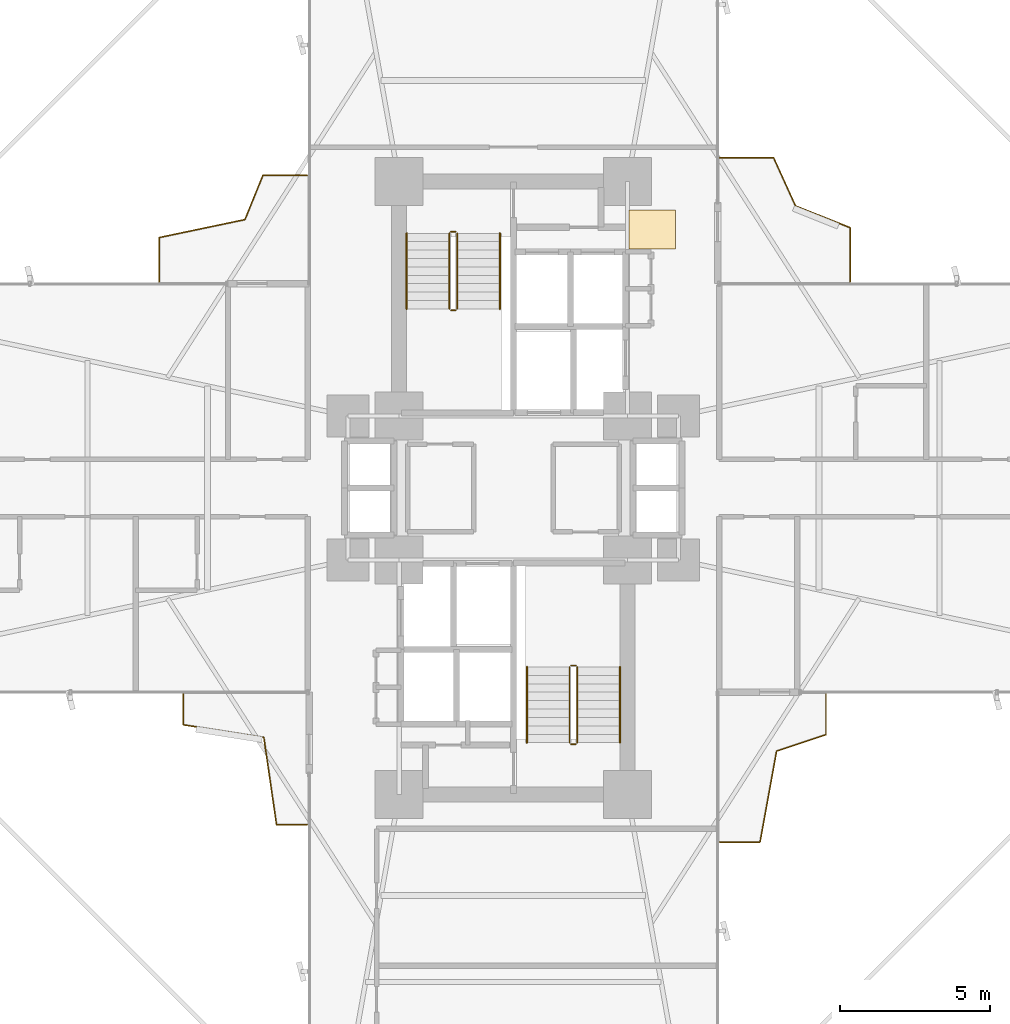
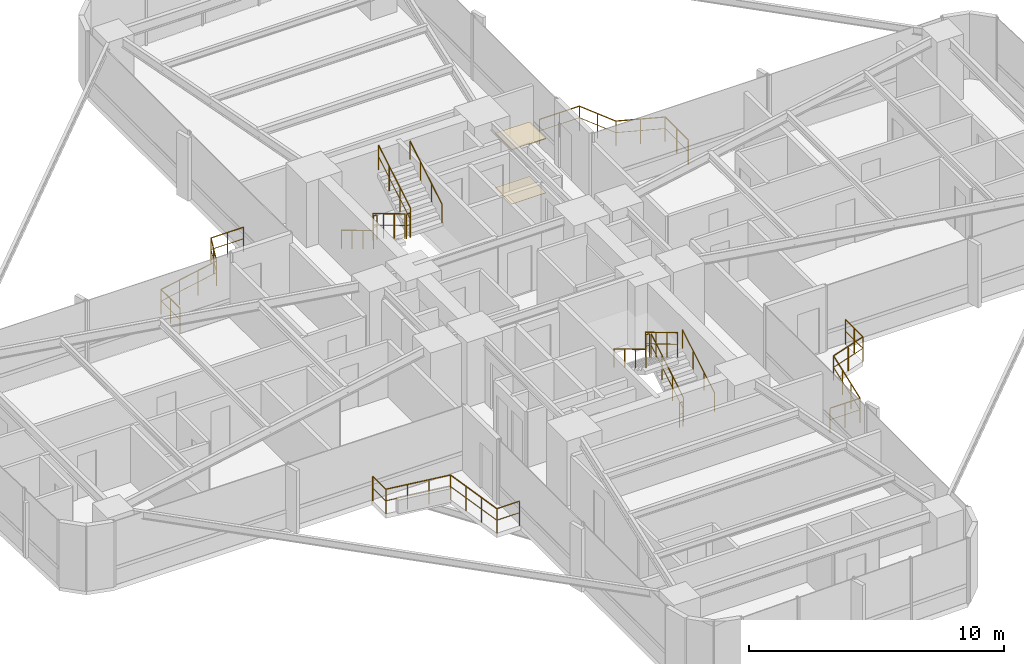
# One storey, part 25 of 25: 16 railings, 2 coverings.
"""IFC4 building model written with IfcOpenShell, lengths in metres."""

import ifcopenshell
import ifcopenshell.guid

model = None  # the IFC model being written
_history = None  # IfcOwnerHistory: only IFC2X3 demands one
_inside = {}  # id of a spatial element -> (the spatial element, [elements in it])
_under = {}  # id of a project, library or spatial element -> (it, [spatial elements below it])
_declared = {}  # id of a project -> (the project, [libraries it declares])
_typed = {}  # id of a type object -> (the type object, [elements of that type])
_made_of = {}  # id of a material, layer set ... -> (it, [elements and type objects made of it])


def new_model(schema):
    """Start an empty IFC model of exactly this schema.

    Asked for "IFC4X3", IfcOpenShell would pick the latest addendum, in which some entities
    have other attributes; the version numbers below select the first issue.
    IFC2X3 requires an IfcOwnerHistory on every rooted entity: one is made here for all.
    """
    global model, _history
    if schema == "IFC4X3":
        model = ifcopenshell.file(schema_version=(4, 3, 0, 0))
    else:
        model = ifcopenshell.file(schema=schema)
    _inside.clear()
    _under.clear()
    _declared.clear()
    _typed.clear()
    _made_of.clear()
    _history = None
    if model.schema == "IFC2X3":
        org = make("IfcOrganization", Name="unknown")
        user = make(
            "IfcPersonAndOrganization",
            ThePerson=make("IfcPerson", FamilyName="unknown"),
            TheOrganization=org,
        )
        app = make(
            "IfcApplication",
            ApplicationDeveloper=org,
            Version="unknown",
            ApplicationFullName="unknown",
            ApplicationIdentifier="unknown",
        )
        _history = make(
            "IfcOwnerHistory",
            OwningUser=user,
            OwningApplication=app,
            ChangeAction="ADDED",
            CreationDate=0,
        )
    return model


def make(cls, **values):
    """One entity of the class cls with the attributes given. An attribute that is None is left unset."""
    return model.create_entity(
        cls, **{name: value for name, value in values.items() if value is not None}
    )


def rooted(cls, **values):
    """An entity with a GlobalId (a new one), such as an element, a storey or a relation."""
    return make(cls, GlobalId=ifcopenshell.guid.new(), OwnerHistory=_history, **values)


def si_unit(unit_type, name, prefix=None):
    """IfcSIUnit, for example si_unit("LENGTHUNIT", "METRE", prefix="MILLI")."""
    return make("IfcSIUnit", UnitType=unit_type, Prefix=prefix, Name=name)


def assignment(units):
    """IfcUnitAssignment: the units of a project."""
    return None if units is None else make("IfcUnitAssignment", Units=units)


def point(xyz):
    """IfcCartesianPoint."""
    return None if xyz is None else make("IfcCartesianPoint", Coordinates=xyz)


def direction(xyz):
    """IfcDirection."""
    return None if xyz is None else make("IfcDirection", DirectionRatios=xyz)


def frame(location, z_axis=None, x_axis=None):
    """IfcAxis2Placement3D, a coordinate frame: its origin and axes. An axis left out is left unset."""
    return make(
        "IfcAxis2Placement3D",
        Location=point(location),
        Axis=direction(z_axis),
        RefDirection=direction(x_axis),
    )


def frame_2d(location, x_axis=None):
    """IfcAxis2Placement2D, a coordinate frame in the plane: its origin and x axis."""
    return make(
        "IfcAxis2Placement2D", Location=point(location), RefDirection=direction(x_axis)
    )


def origin():
    """The frame at (0, 0, 0) with its axes left unset."""
    return frame((0.0, 0.0, 0.0))


def origin_2d():
    """The frame at (0, 0) in the plane with its x axis left unset."""
    return frame_2d((0.0, 0.0))


def place(relative_to, where):
    """IfcLocalPlacement: puts the frame where relative to a parent placement (None: the world)."""
    return make(
        "IfcLocalPlacement", PlacementRelTo=relative_to, RelativePlacement=where
    )


def context(
    kind, dimensions, precision=None, world=None, true_north=None, identifier=None
):
    """IfcGeometricRepresentationContext, for example the 3D "Model" context."""
    return make(
        "IfcGeometricRepresentationContext",
        ContextIdentifier=identifier,
        ContextType=kind,
        CoordinateSpaceDimension=dimensions,
        Precision=precision,
        WorldCoordinateSystem=world,
        TrueNorth=true_north,
    )


def subcontext(parent, identifier, kind, view, scale=None):
    """IfcGeometricRepresentationSubContext, for example "Body" below "Model"."""
    return make(
        "IfcGeometricRepresentationSubContext",
        ContextIdentifier=identifier,
        ContextType=kind,
        ParentContext=parent,
        TargetScale=scale,
        TargetView=view,
    )


def project(units=None, contexts=None):
    """IfcProject with its units and contexts."""
    return rooted(
        "IfcProject",
        Name="project",
        RepresentationContexts=contexts,
        UnitsInContext=assignment(units),
    )


def spatial(cls, under=None, at=None, **own):
    """A site, building, storey or space (cls), placed at a placement, below another one or the project."""
    s = rooted(cls, ObjectPlacement=at, **own)
    if under is not None:
        _under.setdefault(under.id(), (under, []))[1].append(s)
    return s


def polyline(points):
    """IfcPolyline through the points."""
    return make("IfcPolyline", Points=[point(p) for p in points])


def profile(cls, at=None, kind="AREA", **sizes):
    """A parametric profile (cls). Its sizes go by their IFC names, for example OverallWidth=200.0."""
    return make(cls, ProfileType=kind, Position=at, **sizes)


def circle(**sizes):
    """IfcCircleProfileDef."""
    return profile("IfcCircleProfileDef", **sizes)


def outline(outer, holes=None, kind="AREA"):
    """IfcArbitraryClosedProfileDef: a profile drawn as a closed curve; with holes, ...WithVoids."""
    if holes is None:
        return make("IfcArbitraryClosedProfileDef", ProfileType=kind, OuterCurve=outer)
    return make(
        "IfcArbitraryProfileDefWithVoids",
        ProfileType=kind,
        OuterCurve=outer,
        InnerCurves=holes,
    )


def extrude(swept, where, along, depth):
    """IfcExtrudedAreaSolid: the profile swept, set in the frame where, extruded along a direction by depth."""
    return make(
        "IfcExtrudedAreaSolid",
        SweptArea=swept,
        Position=where,
        ExtrudedDirection=direction(along),
        Depth=depth,
    )


def shape(context_of_items, identifier, shape_type, items):
    """IfcShapeRepresentation: the items that make up one representation, for example the "Body"."""
    return make(
        "IfcShapeRepresentation",
        ContextOfItems=context_of_items,
        RepresentationIdentifier=identifier,
        RepresentationType=shape_type,
        Items=items,
    )


def material(Name=None, Category=None):
    """IfcMaterial."""
    return make("IfcMaterial", Name=Name, Category=Category)


def layer(
    of_material, thickness, ventilated=None, Name=None, Category=None, Priority=None
):
    """IfcMaterialLayer: one layer of a wall or slab, of a material (None: an air gap)."""
    return make(
        "IfcMaterialLayer",
        Material=of_material,
        LayerThickness=thickness,
        IsVentilated=ventilated,
        Name=Name,
        Category=Category,
        Priority=Priority,
    )


def layer_set(layers, Name=None):
    """IfcMaterialLayerSet."""
    return make("IfcMaterialLayerSet", MaterialLayers=layers, LayerSetName=Name)


def made_of(thing, what):
    """Note that an element or type object is made of a material, layer set ...; save() writes the relation."""
    if what is not None:
        _made_of.setdefault(what.id(), (what, []))[1].append(thing)
    return thing


def type_object(cls, material=None, **own):
    """A type object (cls), such as IfcWallType, which elements share."""
    return made_of(rooted(cls, **own), material)


def element(
    cls,
    number,
    at=None,
    inside=None,
    cuts=None,
    type_object=None,
    material=None,
    context=None,
    identifier="Body",
    shape_type=None,
    held_by="IfcProductDefinitionShape",
    body=None,
    shapes=None,
    **own,
):
    """One element of the class cls, such as IfcWall. Its Tag is "e" and its number.

    at: its placement. inside: the storey or other place that contains it. cuts: it is an
    opening in that element (IfcRelVoidsElement). A single representation is given by context,
    identifier, shape_type and body (its items); several are given by shapes. held_by: the class
    of the entity that holds the representations. save() writes the other relations.
    """
    e = rooted(cls, Tag="e%d" % number, ObjectPlacement=at, **own)
    if body is not None:
        shapes = [shape(context, identifier, shape_type, body)]
    if shapes is not None:
        e.Representation = make(held_by, Representations=shapes)
    if inside is not None:
        _inside.setdefault(inside.id(), (inside, []))[1].append(e)
    if cuts is not None:
        rooted(
            "IfcRelVoidsElement", RelatingBuildingElement=cuts, RelatedOpeningElement=e
        )
    if type_object is not None:
        _typed.setdefault(type_object.id(), (type_object, []))[1].append(e)
    return made_of(e, material)


def aggregate(whole, parts):
    """IfcRelAggregates: a whole, such as a stair, and the parts it consists of."""
    return rooted("IfcRelAggregates", RelatingObject=whole, RelatedObjects=parts)


def save(model, path):
    """Write the relations noted so far, then the file.

    IfcRelAggregates (storeys below a building ...), IfcRelContainedInSpatialStructure (elements
    in a storey), IfcRelDefinesByType, IfcRelAssociatesMaterial and IfcRelDeclares: one each for
    every whole, place, type object, material and project.
    """
    for whole, parts in _under.values():
        aggregate(whole, parts)
    for where, things in _inside.values():
        rooted(
            "IfcRelContainedInSpatialStructure",
            RelatedElements=things,
            RelatingStructure=where,
        )
    for kind, things in _typed.values():
        rooted("IfcRelDefinesByType", RelatedObjects=things, RelatingType=kind)
    for what, things in _made_of.values():
        rooted("IfcRelAssociatesMaterial", RelatedObjects=things, RelatingMaterial=what)
    for by, libraries in _declared.values():
        rooted("IfcRelDeclares", RelatingContext=by, RelatedDefinitions=libraries)
    model.write(path)


model = new_model("IFC4")

# Units and contexts
model_context = context("Model", 3, precision=1e-05, world=origin(), true_north=direction((0.0, 1.0)))
body_context = subcontext(model_context, "Body", "Model", "MODEL_VIEW")
ifc_project = project(units=[si_unit("LENGTHUNIT", "METRE"), si_unit("AREAUNIT", "SQUARE_METRE"), si_unit("VOLUMEUNIT", "CUBIC_METRE"), si_unit("PLANEANGLEUNIT", "RADIAN"), si_unit("MASSUNIT", "GRAM", prefix="KILO")], contexts=[model_context])

# Site, building, storey
site_placement = place(None, origin())
site = spatial("IfcSite", under=ifc_project, at=site_placement, CompositionType="ELEMENT")
building_placement = place(site_placement, origin())
building = spatial("IfcBuilding", under=site, at=building_placement, Name="Sahyath Konkavel Grand Hotel", CompositionType="ELEMENT")
storey_placement = place(building_placement, frame((0.0, 0.0, 57.75)))
storey = spatial("IfcBuildingStorey", under=building, at=storey_placement, Name="L15", CompositionType="ELEMENT", Elevation=57.75)

# Coverings
ifc_material_1 = material(Name="Perforated Acoustic Gypsum and Teak Baffle Ceiling")
ifc_layer_1 = layer(ifc_material_1, 0.044921875)
ifc_layer_set_1 = layer_set([ifc_layer_1], Name="Perforated Acoustic Gypsum and Teak Baffle Ceiling")
covering_type_1 = type_object("IfcCoveringType", Name="COV-ACOUSTIC-CLG", PredefinedType="CEILING", material=ifc_layer_set_1)
covering_1_placement = place(storey_placement, frame((0.0, 0.0, 2.590087890625)))
element("IfcCovering", 1, at=covering_1_placement, inside=storey, type_object=covering_type_1, Name="L15 Core Vestibule Acoustic Ceiling", PredefinedType="CEILING", context=body_context, shape_type="SweptSolid", body=[
    extrude(outline(polyline([(3.85009765625, 7.949951171875), (5.39990234375, 7.949951171875), (5.39990234375, 9.25), (3.85009765625, 9.25), (3.85009765625, 7.949951171875)])), origin(), (0.0, 0.0, 1.0), 0.039794921875),
])
ifc_material_2 = material(Name="Polished Konkan Aggregate Terrazzo Flooring")
ifc_layer_2 = layer(ifc_material_2, 0.02001953125)
ifc_layer_set_2 = layer_set([ifc_layer_2], Name="Polished Konkan Aggregate Terrazzo Flooring")
covering_type_2 = type_object("IfcCoveringType", Name="COV-TERRAZZO", PredefinedType="FLOORING", material=ifc_layer_set_2)
covering_2_placement = place(storey_placement, origin())
element("IfcCovering", 2, at=covering_2_placement, inside=storey, type_object=covering_type_2, Name="L15 Core Vestibule Terrazzo Flooring", PredefinedType="FLOORING", context=body_context, shape_type="SweptSolid", body=[
    extrude(outline(polyline([(3.85009765625, 7.949951171875), (5.39990234375, 7.949951171875), (5.39990234375, 9.25), (3.85009765625, 9.25), (3.85009765625, 7.949951171875)])), origin(), (0.0, 0.0, 1.0), 0.02001953125),
])

# Railings
ifc_material_3 = material(Name="Anodised Bronze Aluminium", Category="aluminium")
railing_type_1 = type_object("IfcRailingType", Name="RLG-BALC-1200", PredefinedType="GUARDRAIL", material=ifc_material_3)
railing_1_placement = place(storey_placement, frame((11.2099609375, 6.860107421875, 0.0)))
element("IfcRailing", 3, at=railing_1_placement, inside=storey, type_object=railing_type_1, Name="L15 Winter-Garden Guard NE", PredefinedType="GUARDRAIL", context=body_context, shape_type="SweptSolid", body=[
    extrude(circle(Radius=0.02392578125, at=origin_2d()), frame((0.0, 0.001953125, 1.17578125), z_axis=(0.0, 1.0, 0.0), x_axis=(-1.0, 0.0, 0.0)), (0.0, 0.0, 1.0), 1.802978515625),
    extrude(circle(Radius=0.01416015625, at=origin_2d()), frame((0.0, 0.001953125, 0.6240234375), z_axis=(0.0, 1.0, 0.0), x_axis=(-1.0, 0.0, 0.0)), (0.0, 0.0, 1.0), 1.802978515625),
    extrude(circle(Radius=0.02392578125, at=origin_2d()), frame((-0.001953125, 1.8076171875, 1.17578125), z_axis=(-0.928597117246, 0.371089468784, 0.0), x_axis=(-0.371089468784, -0.928597117246, 0.0)), (0.0, 0.0, 1.0), 1.95263671875),
    extrude(circle(Radius=0.01416015625, at=origin_2d()), frame((-0.001953125, 1.8076171875, 0.6240234375), z_axis=(-0.928597117246, 0.371089468784, 0.0), x_axis=(-0.371089468784, -0.928597117246, 0.0)), (0.0, 0.0, 1.0), 1.95263671875),
    extrude(circle(Radius=0.02392578125, at=origin_2d()), frame((-1.817626953125, 2.53466796875, 1.17578125), z_axis=(-0.413897312083, 0.910323577114, 0.0), x_axis=(-0.910323577114, -0.413897312083, 0.0)), (0.0, 0.0, 1.0), 1.750244140625),
    extrude(circle(Radius=0.01416015625, at=origin_2d()), frame((-1.817626953125, 2.53466796875, 0.6240234375), z_axis=(-0.413897312083, 0.910323577114, 0.0), x_axis=(-0.910323577114, -0.413897312083, 0.0)), (0.0, 0.0, 1.0), 1.750244140625),
    extrude(circle(Radius=0.02392578125, at=origin_2d()), frame((-2.544921875, 4.1298828125, 1.17578125), z_axis=(-1.0, 0.0, 0.0), x_axis=(0.0, -1.0, 0.0)), (0.0, 0.0, 1.0), 1.802978515625),
    extrude(circle(Radius=0.01416015625, at=origin_2d()), frame((-2.544921875, 4.1298828125, 0.6240234375), z_axis=(-1.0, 0.0, 0.0), x_axis=(0.0, -1.0, 0.0)), (0.0, 0.0, 1.0), 1.802978515625),
    extrude(circle(Radius=0.02099609375, at=origin_2d()), origin(), (0.0, 0.0, 1.0), 1.15185546875),
    extrude(circle(Radius=0.02099609375, at=origin_2d()), frame((0.0, 0.9033203125, 0.0)), (0.0, 0.0, 1.0), 1.15185546875),
    extrude(circle(Radius=0.02099609375, at=origin_2d()), frame((0.0, 1.806884765625, 0.0)), (0.0, 0.0, 1.0), 1.15185546875),
    extrude(circle(Radius=0.02099609375, at=origin_2d()), frame((-0.908447265625, 2.169921875, 0.0)), (0.0, 0.0, 1.0), 1.15185546875),
    extrude(circle(Radius=0.02099609375, at=origin_2d()), frame((-1.81689453125, 2.532958984375, 0.0)), (0.0, 0.0, 1.0), 1.15185546875),
    extrude(circle(Radius=0.02099609375, at=origin_2d()), frame((-2.179931640625, 3.33154296875, 0.0)), (0.0, 0.0, 1.0), 1.15185546875),
    extrude(circle(Radius=0.02099609375, at=origin_2d()), frame((-2.54296875, 4.1298828125, 0.0)), (0.0, 0.0, 1.0), 1.15185546875),
    extrude(circle(Radius=0.02099609375, at=origin_2d()), frame((-3.4462890625, 4.1298828125, 0.0)), (0.0, 0.0, 1.0), 1.15185546875),
    extrude(circle(Radius=0.02099609375, at=origin_2d()), frame((-4.349853515625, 4.1298828125, 0.0)), (0.0, 0.0, 1.0), 1.15185546875),
])
railing_2_placement = place(storey_placement, frame((-6.860107421875, 10.408935546875, 0.0)))
element("IfcRailing", 4, at=railing_2_placement, inside=storey, type_object=railing_type_1, Name="L15 Winter-Garden Guard NW", PredefinedType="GUARDRAIL", context=body_context, shape_type="SweptSolid", body=[
    extrude(circle(Radius=0.02392578125, at=origin_2d()), frame((-0.001953125, 0.0, 1.17578125), z_axis=(-1.0, 0.0, 0.0), x_axis=(0.0, -1.0, 0.0)), (0.0, 0.0, 1.0), 1.473876953125),
    extrude(circle(Radius=0.01416015625, at=origin_2d()), frame((-0.001953125, 0.0, 0.6240234375), z_axis=(-1.0, 0.0, 0.0), x_axis=(0.0, -1.0, 0.0)), (0.0, 0.0, 1.0), 1.473876953125),
    extrude(circle(Radius=0.02392578125, at=origin_2d()), frame((-1.478515625, -0.001953125, 1.17578125), z_axis=(-0.376257582672, -0.926515100515, 0.0), x_axis=(0.926515100515, -0.376257582672, 0.0)), (0.0, 0.0, 1.0), 1.585693359375),
    extrude(circle(Radius=0.01416015625, at=origin_2d()), frame((-1.478515625, -0.001953125, 0.6240234375), z_axis=(-0.376257582672, -0.926515100515, 0.0), x_axis=(0.926515100515, -0.376257582672, 0.0)), (0.0, 0.0, 1.0), 1.585693359375),
    extrude(circle(Radius=0.02392578125, at=origin_2d()), frame((-2.077880859375, -1.473388671875, 1.17578125), z_axis=(-0.978750015276, -0.205057083755, 0.0), x_axis=(0.205057083755, -0.978750015276, 0.0)), (0.0, 0.0, 1.0), 2.9130859375),
    extrude(circle(Radius=0.01416015625, at=origin_2d()), frame((-2.077880859375, -1.473388671875, 0.6240234375), z_axis=(-0.978750015276, -0.205057083755, 0.0), x_axis=(0.205057083755, -0.978750015276, 0.0)), (0.0, 0.0, 1.0), 2.9130859375),
    extrude(circle(Radius=0.02392578125, at=origin_2d()), frame((-4.930908203125, -2.072998046875, 1.17578125), z_axis=(0.0, -1.0, 0.0), x_axis=(1.0, 0.0, 0.0)), (0.0, 0.0, 1.0), 1.473876953125),
    extrude(circle(Radius=0.01416015625, at=origin_2d()), frame((-4.930908203125, -2.072998046875, 0.6240234375), z_axis=(0.0, -1.0, 0.0), x_axis=(1.0, 0.0, 0.0)), (0.0, 0.0, 1.0), 1.473876953125),
    extrude(circle(Radius=0.02099609375, at=origin_2d()), origin(), (0.0, 0.0, 1.0), 1.15185546875),
    extrude(circle(Radius=0.02099609375, at=origin_2d()), frame((-0.73876953125, 0.0, 0.0)), (0.0, 0.0, 1.0), 1.15185546875),
    extrude(circle(Radius=0.02099609375, at=origin_2d()), frame((-1.477783203125, 0.0, 0.0)), (0.0, 0.0, 1.0), 1.15185546875),
    extrude(circle(Radius=0.02099609375, at=origin_2d()), frame((-1.77685546875, -0.736328125, 0.0)), (0.0, 0.0, 1.0), 1.15185546875),
    extrude(circle(Radius=0.02099609375, at=origin_2d()), frame((-2.075927734375, -1.472900390625, 0.0)), (0.0, 0.0, 1.0), 1.15185546875),
    extrude(circle(Radius=0.02099609375, at=origin_2d()), frame((-3.027587890625, -1.67236328125, 0.0)), (0.0, 0.0, 1.0), 1.15185546875),
    extrude(circle(Radius=0.02099609375, at=origin_2d()), frame((-3.979248046875, -1.87158203125, 0.0)), (0.0, 0.0, 1.0), 1.15185546875),
    extrude(circle(Radius=0.02099609375, at=origin_2d()), frame((-4.930908203125, -2.071044921875, 0.0)), (0.0, 0.0, 1.0), 1.15185546875),
    extrude(circle(Radius=0.02099609375, at=origin_2d()), frame((-4.930908203125, -2.81005859375, 0.0)), (0.0, 0.0, 1.0), 1.15185546875),
    extrude(circle(Radius=0.02099609375, at=origin_2d()), frame((-4.930908203125, -3.548828125, 0.0)), (0.0, 0.0, 1.0), 1.15185546875),
])
railing_3_placement = place(storey_placement, frame((-10.989990234375, -6.860107421875, 0.0)))
element("IfcRailing", 5, at=railing_3_placement, inside=storey, type_object=railing_type_1, Name="L15 Winter-Garden Guard SW", PredefinedType="GUARDRAIL", context=body_context, shape_type="SweptSolid", body=[
    extrude(circle(Radius=0.02392578125, at=origin_2d()), frame((0.0, -0.001953125, 1.17578125), z_axis=(0.0, -1.0, 0.0), x_axis=(1.0, 0.0, 0.0)), (0.0, 0.0, 1.0), 1.02099609375),
    extrude(circle(Radius=0.01416015625, at=origin_2d()), frame((0.0, -0.001953125, 0.6240234375), z_axis=(0.0, -1.0, 0.0), x_axis=(1.0, 0.0, 0.0)), (0.0, 0.0, 1.0), 1.02099609375),
    extrude(circle(Radius=0.02392578125, at=origin_2d()), frame((0.001953125, -1.025146484375, 1.17578125), z_axis=(0.987863336735, -0.155325554675, 0.0), x_axis=(0.155325554675, 0.987863336735, 0.0)), (0.0, 0.0, 1.0), 2.712158203125),
    extrude(circle(Radius=0.01416015625, at=origin_2d()), frame((0.001953125, -1.025146484375, 0.6240234375), z_axis=(0.987863336735, -0.155325554675, 0.0), x_axis=(0.155325554675, 0.987863336735, 0.0)), (0.0, 0.0, 1.0), 2.712158203125),
    extrude(circle(Radius=0.02392578125, at=origin_2d()), frame((2.683349609375, -1.44873046875, 1.17578125), z_axis=(0.143809446405, -0.989605397684, 0.0), x_axis=(0.989605397684, 0.143809446405, 0.0)), (0.0, 0.0, 1.0), 2.9296875),
    extrude(circle(Radius=0.01416015625, at=origin_2d()), frame((2.683349609375, -1.44873046875, 0.6240234375), z_axis=(0.143809446405, -0.989605397684, 0.0), x_axis=(0.989605397684, 0.143809446405, 0.0)), (0.0, 0.0, 1.0), 2.9296875),
    extrude(circle(Radius=0.02392578125, at=origin_2d()), frame((3.10693359375, -4.349853515625, 1.17578125), z_axis=(1.0, 0.0, 0.0), x_axis=(0.0, 1.0, 0.0)), (0.0, 0.0, 1.0), 1.02099609375),
    extrude(circle(Radius=0.01416015625, at=origin_2d()), frame((3.10693359375, -4.349853515625, 0.6240234375), z_axis=(1.0, 0.0, 0.0), x_axis=(0.0, 1.0, 0.0)), (0.0, 0.0, 1.0), 1.02099609375),
    extrude(circle(Radius=0.02099609375, at=origin_2d()), origin(), (0.0, 0.0, 1.0), 1.15185546875),
    extrude(circle(Radius=0.02099609375, at=origin_2d()), frame((0.0, -1.02490234375, 0.0)), (0.0, 0.0, 1.0), 1.15185546875),
    extrude(circle(Radius=0.02099609375, at=origin_2d()), frame((0.894287109375, -1.16552734375, 0.0)), (0.0, 0.0, 1.0), 1.15185546875),
    extrude(circle(Radius=0.02099609375, at=origin_2d()), frame((1.788818359375, -1.30615234375, 0.0)), (0.0, 0.0, 1.0), 1.15185546875),
    extrude(circle(Radius=0.02099609375, at=origin_2d()), frame((2.68310546875, -1.44677734375, 0.0)), (0.0, 0.0, 1.0), 1.15185546875),
    extrude(circle(Radius=0.02099609375, at=origin_2d()), frame((2.82373046875, -2.41455078125, 0.0)), (0.0, 0.0, 1.0), 1.15185546875),
    extrude(circle(Radius=0.02099609375, at=origin_2d()), frame((2.96435546875, -3.382080078125, 0.0)), (0.0, 0.0, 1.0), 1.15185546875),
    extrude(circle(Radius=0.02099609375, at=origin_2d()), frame((3.10498046875, -4.349853515625, 0.0)), (0.0, 0.0, 1.0), 1.15185546875),
    extrude(circle(Radius=0.02099609375, at=origin_2d()), frame((4.1298828125, -4.349853515625, 0.0)), (0.0, 0.0, 1.0), 1.15185546875),
])
railing_4_placement = place(storey_placement, frame((6.860107421875, -11.791015625, 0.0)))
element("IfcRailing", 6, at=railing_4_placement, inside=storey, type_object=railing_type_1, Name="L15 Winter-Garden Guard SE", PredefinedType="GUARDRAIL", context=body_context, shape_type="SweptSolid", body=[
    extrude(circle(Radius=0.02392578125, at=origin_2d()), frame((0.001953125, 0.0, 1.17578125), z_axis=(1.0, 0.0, 0.0), x_axis=(0.0, 1.0, 0.0)), (0.0, 0.0, 1.0), 1.35009765625),
    extrude(circle(Radius=0.01416015625, at=origin_2d()), frame((0.001953125, 0.0, 0.6240234375), z_axis=(1.0, 0.0, 0.0), x_axis=(0.0, 1.0, 0.0)), (0.0, 0.0, 1.0), 1.35009765625),
    extrude(circle(Radius=0.02392578125, at=origin_2d()), frame((1.354248046875, 0.001953125, 1.17578125), z_axis=(0.178703874557, 0.983902904365, 0.0), x_axis=(-0.983902904365, 0.178703874557, 0.0)), (0.0, 0.0, 1.0), 3.072509765625),
    extrude(circle(Radius=0.01416015625, at=origin_2d()), frame((1.354248046875, 0.001953125, 0.6240234375), z_axis=(0.178703874557, 0.983902904365, 0.0), x_axis=(-0.983902904365, 0.178703874557, 0.0)), (0.0, 0.0, 1.0), 3.072509765625),
    extrude(circle(Radius=0.02392578125, at=origin_2d()), frame((1.90576171875, 3.02783203125, 1.17578125), z_axis=(0.948429628558, 0.3169877595, 0.0), x_axis=(-0.3169877595, 0.948429628558, 0.0)), (0.0, 0.0, 1.0), 1.73046875),
    extrude(circle(Radius=0.01416015625, at=origin_2d()), frame((1.90576171875, 3.02783203125, 0.6240234375), z_axis=(0.948429628558, 0.3169877595, 0.0), x_axis=(-0.3169877595, 0.948429628558, 0.0)), (0.0, 0.0, 1.0), 1.73046875),
    extrude(circle(Radius=0.02392578125, at=origin_2d()), frame((3.548828125, 3.578857421875, 1.17578125), z_axis=(0.0, 1.0, 0.0), x_axis=(-1.0, 0.0, 0.0)), (0.0, 0.0, 1.0), 1.35009765625),
    extrude(circle(Radius=0.01416015625, at=origin_2d()), frame((3.548828125, 3.578857421875, 0.6240234375), z_axis=(0.0, 1.0, 0.0), x_axis=(-1.0, 0.0, 0.0)), (0.0, 0.0, 1.0), 1.35009765625),
    extrude(circle(Radius=0.02099609375, at=origin_2d()), origin(), (0.0, 0.0, 1.0), 1.15185546875),
    extrude(circle(Radius=0.02099609375, at=origin_2d()), frame((0.677001953125, 0.0, 0.0)), (0.0, 0.0, 1.0), 1.15185546875),
    extrude(circle(Radius=0.02099609375, at=origin_2d()), frame((1.35400390625, 0.0, 0.0)), (0.0, 0.0, 1.0), 1.15185546875),
    extrude(circle(Radius=0.02099609375, at=origin_2d()), frame((1.537353515625, 1.009033203125, 0.0)), (0.0, 0.0, 1.0), 1.15185546875),
    extrude(circle(Radius=0.02099609375, at=origin_2d()), frame((1.720458984375, 2.01806640625, 0.0)), (0.0, 0.0, 1.0), 1.15185546875),
    extrude(circle(Radius=0.02099609375, at=origin_2d()), frame((1.90380859375, 3.027099609375, 0.0)), (0.0, 0.0, 1.0), 1.15185546875),
    extrude(circle(Radius=0.02099609375, at=origin_2d()), frame((2.726318359375, 3.302001953125, 0.0)), (0.0, 0.0, 1.0), 1.15185546875),
    extrude(circle(Radius=0.02099609375, at=origin_2d()), frame((3.548828125, 3.576904296875, 0.0)), (0.0, 0.0, 1.0), 1.15185546875),
    extrude(circle(Radius=0.02099609375, at=origin_2d()), frame((3.548828125, 4.25390625, 0.0)), (0.0, 0.0, 1.0), 1.15185546875),
    extrude(circle(Radius=0.02099609375, at=origin_2d()), frame((3.548828125, 4.930908203125, 0.0)), (0.0, 0.0, 1.0), 1.15185546875),
])
ifc_material_4 = material(Name="Steel E350", Category="steel")
railing_type_2 = type_object("IfcRailingType", Name="RLG-STAIR-GRD", PredefinedType="GUARDRAIL", material=ifc_material_4)
railing_5_placement = place(storey_placement, frame((-2.1298828125, 8.47998046875, 0.16748046875)))
element("IfcRailing", 7, at=railing_5_placement, inside=storey, type_object=railing_type_2, Name="L15 ST-1 stair guard 1", PredefinedType="GUARDRAIL", context=body_context, shape_type="SweptSolid", body=[
    extrude(circle(Radius=0.02392578125, at=origin_2d()), frame((0.0, -0.001708984375, 1.177001953125), z_axis=(0.0, -0.858159760407, 0.513382728203), x_axis=(1.0, 0.0, 0.0)), (0.0, 0.0, 1.0), 2.9326171875),
    extrude(circle(Radius=0.01416015625, at=origin_2d()), frame((0.0, -0.001708984375, 0.625), z_axis=(0.0, -0.858159760407, 0.513382728203), x_axis=(1.0, 0.0, 0.0)), (0.0, 0.0, 1.0), 2.9326171875),
    extrude(circle(Radius=0.02099609375, at=origin_2d()), origin(), (0.0, 0.0, 1.0), 1.15185546875),
    extrude(circle(Radius=0.02099609375, at=origin_2d()), frame((0.0, -0.840087890625, 0.50244140625)), (0.0, 0.0, 1.0), 1.15185546875),
    extrude(circle(Radius=0.02099609375, at=origin_2d()), frame((0.0, -1.679931640625, 1.005126953125)), (0.0, 0.0, 1.0), 1.15185546875),
    extrude(circle(Radius=0.02099609375, at=origin_2d()), frame((0.0, -2.52001953125, 1.507568359375)), (0.0, 0.0, 1.0), 1.15185546875),
])
railing_6_placement = place(storey_placement, frame((-2.080078125, 5.909912109375, 1.675048828125)))
element("IfcRailing", 8, at=railing_6_placement, inside=storey, type_object=railing_type_2, Name="L15 ST-1 stair guard 2", PredefinedType="GUARDRAIL", context=body_context, shape_type="SweptSolid", body=[
    extrude(circle(Radius=0.02392578125, at=origin_2d()), frame((0.001953125, 0.0, 1.17578125), z_axis=(1.0, 0.0, 0.0), x_axis=(0.0, 1.0, 0.0)), (0.0, 0.0, 1.0), 0.15625),
    extrude(circle(Radius=0.01416015625, at=origin_2d()), frame((0.001953125, 0.0, 0.6240234375), z_axis=(1.0, 0.0, 0.0), x_axis=(0.0, 1.0, 0.0)), (0.0, 0.0, 1.0), 0.15625),
    extrude(circle(Radius=0.02099609375, at=origin_2d()), origin(), (0.0, 0.0, 1.0), 1.15185546875),
    extrude(circle(Radius=0.02099609375, at=origin_2d()), frame((0.16015625, 0.0, 0.0)), (0.0, 0.0, 1.0), 1.15185546875),
])
railing_7_placement = place(storey_placement, frame((-1.8701171875, 5.9599609375, 1.842529296875)))
element("IfcRailing", 9, at=railing_7_placement, inside=storey, type_object=railing_type_2, Name="L15 ST-1 stair guard 3", PredefinedType="GUARDRAIL", context=body_context, shape_type="SweptSolid", body=[
    extrude(circle(Radius=0.02392578125, at=origin_2d()), frame((0.0, 0.001708984375, 1.177001953125), z_axis=(0.0, 0.858159760407, 0.513382728203), x_axis=(-1.0, 0.0, 0.0)), (0.0, 0.0, 1.0), 2.9326171875),
    extrude(circle(Radius=0.01416015625, at=origin_2d()), frame((0.0, 0.001708984375, 0.625), z_axis=(0.0, 0.858159760407, 0.513382728203), x_axis=(-1.0, 0.0, 0.0)), (0.0, 0.0, 1.0), 2.9326171875),
    extrude(circle(Radius=0.02099609375, at=origin_2d()), origin(), (0.0, 0.0, 1.0), 1.15185546875),
    extrude(circle(Radius=0.02099609375, at=origin_2d()), frame((0.0, 0.840087890625, 0.50244140625)), (0.0, 0.0, 1.0), 1.15185546875),
    extrude(circle(Radius=0.02099609375, at=origin_2d()), frame((0.0, 1.679931640625, 1.005126953125)), (0.0, 0.0, 1.0), 1.15185546875),
    extrude(circle(Radius=0.02099609375, at=origin_2d()), frame((0.0, 2.52001953125, 1.507568359375)), (0.0, 0.0, 1.0), 1.15185546875),
])
railing_8_placement = place(storey_placement, frame((-2.080078125, 8.530029296875, 0.0)))
element("IfcRailing", 10, at=railing_8_placement, inside=storey, type_object=railing_type_2, Name="L15 ST-1 stair guard 4", PredefinedType="GUARDRAIL", context=body_context, shape_type="SweptSolid", body=[
    extrude(circle(Radius=0.02392578125, at=origin_2d()), frame((0.001953125, 0.0, 1.17578125), z_axis=(1.0, 0.0, 0.0), x_axis=(0.0, 1.0, 0.0)), (0.0, 0.0, 1.0), 0.15625),
    extrude(circle(Radius=0.01416015625, at=origin_2d()), frame((0.001953125, 0.0, 0.6240234375), z_axis=(1.0, 0.0, 0.0), x_axis=(0.0, 1.0, 0.0)), (0.0, 0.0, 1.0), 0.15625),
    extrude(circle(Radius=0.02099609375, at=origin_2d()), origin(), (0.0, 0.0, 1.0), 1.15185546875),
    extrude(circle(Radius=0.02099609375, at=origin_2d()), frame((0.16015625, 0.0, 0.0)), (0.0, 0.0, 1.0), 1.15185546875),
])
railing_9_placement = place(storey_placement, frame((2.1298828125, -8.47998046875, 0.16748046875)))
element("IfcRailing", 11, at=railing_9_placement, inside=storey, type_object=railing_type_2, Name="L15 ST-2 stair guard 1", PredefinedType="GUARDRAIL", context=body_context, shape_type="SweptSolid", body=[
    extrude(circle(Radius=0.02392578125, at=origin_2d()), frame((0.0, 0.001708984375, 1.177001953125), z_axis=(0.0, 0.858159760407, 0.513382728203), x_axis=(-1.0, 0.0, 0.0)), (0.0, 0.0, 1.0), 2.9326171875),
    extrude(circle(Radius=0.01416015625, at=origin_2d()), frame((0.0, 0.001708984375, 0.625), z_axis=(0.0, 0.858159760407, 0.513382728203), x_axis=(-1.0, 0.0, 0.0)), (0.0, 0.0, 1.0), 2.9326171875),
    extrude(circle(Radius=0.02099609375, at=origin_2d()), origin(), (0.0, 0.0, 1.0), 1.15185546875),
    extrude(circle(Radius=0.02099609375, at=origin_2d()), frame((0.0, 0.840087890625, 0.50244140625)), (0.0, 0.0, 1.0), 1.15185546875),
    extrude(circle(Radius=0.02099609375, at=origin_2d()), frame((0.0, 1.679931640625, 1.005126953125)), (0.0, 0.0, 1.0), 1.15185546875),
    extrude(circle(Radius=0.02099609375, at=origin_2d()), frame((0.0, 2.52001953125, 1.507568359375)), (0.0, 0.0, 1.0), 1.15185546875),
])
railing_10_placement = place(storey_placement, frame((2.080078125, -5.909912109375, 1.675048828125)))
element("IfcRailing", 12, at=railing_10_placement, inside=storey, type_object=railing_type_2, Name="L15 ST-2 stair guard 2", PredefinedType="GUARDRAIL", context=body_context, shape_type="SweptSolid", body=[
    extrude(circle(Radius=0.02392578125, at=origin_2d()), frame((-0.001953125, 0.0, 1.17578125), z_axis=(-1.0, 0.0, 0.0), x_axis=(0.0, -1.0, 0.0)), (0.0, 0.0, 1.0), 0.15625),
    extrude(circle(Radius=0.01416015625, at=origin_2d()), frame((-0.001953125, 0.0, 0.6240234375), z_axis=(-1.0, 0.0, 0.0), x_axis=(0.0, -1.0, 0.0)), (0.0, 0.0, 1.0), 0.15625),
    extrude(circle(Radius=0.02099609375, at=origin_2d()), origin(), (0.0, 0.0, 1.0), 1.15185546875),
    extrude(circle(Radius=0.02099609375, at=origin_2d()), frame((-0.16015625, 0.0, 0.0)), (0.0, 0.0, 1.0), 1.15185546875),
])
railing_11_placement = place(storey_placement, frame((1.8701171875, -5.9599609375, 1.842529296875)))
element("IfcRailing", 13, at=railing_11_placement, inside=storey, type_object=railing_type_2, Name="L15 ST-2 stair guard 3", PredefinedType="GUARDRAIL", context=body_context, shape_type="SweptSolid", body=[
    extrude(circle(Radius=0.02392578125, at=origin_2d()), frame((0.0, -0.001708984375, 1.177001953125), z_axis=(0.0, -0.858159760407, 0.513382728203), x_axis=(1.0, 0.0, 0.0)), (0.0, 0.0, 1.0), 2.9326171875),
    extrude(circle(Radius=0.01416015625, at=origin_2d()), frame((0.0, -0.001708984375, 0.625), z_axis=(0.0, -0.858159760407, 0.513382728203), x_axis=(1.0, 0.0, 0.0)), (0.0, 0.0, 1.0), 2.9326171875),
    extrude(circle(Radius=0.02099609375, at=origin_2d()), origin(), (0.0, 0.0, 1.0), 1.15185546875),
    extrude(circle(Radius=0.02099609375, at=origin_2d()), frame((0.0, -0.840087890625, 0.50244140625)), (0.0, 0.0, 1.0), 1.15185546875),
    extrude(circle(Radius=0.02099609375, at=origin_2d()), frame((0.0, -1.679931640625, 1.005126953125)), (0.0, 0.0, 1.0), 1.15185546875),
    extrude(circle(Radius=0.02099609375, at=origin_2d()), frame((0.0, -2.52001953125, 1.507568359375)), (0.0, 0.0, 1.0), 1.15185546875),
])
railing_12_placement = place(storey_placement, frame((2.080078125, -8.530029296875, 0.0)))
element("IfcRailing", 14, at=railing_12_placement, inside=storey, type_object=railing_type_2, Name="L15 ST-2 stair guard 4", PredefinedType="GUARDRAIL", context=body_context, shape_type="SweptSolid", body=[
    extrude(circle(Radius=0.02392578125, at=origin_2d()), frame((-0.001953125, 0.0, 1.17578125), z_axis=(-1.0, 0.0, 0.0), x_axis=(0.0, -1.0, 0.0)), (0.0, 0.0, 1.0), 0.15625),
    extrude(circle(Radius=0.01416015625, at=origin_2d()), frame((-0.001953125, 0.0, 0.6240234375), z_axis=(-1.0, 0.0, 0.0), x_axis=(0.0, -1.0, 0.0)), (0.0, 0.0, 1.0), 0.15625),
    extrude(circle(Radius=0.02099609375, at=origin_2d()), origin(), (0.0, 0.0, 1.0), 1.15185546875),
    extrude(circle(Radius=0.02099609375, at=origin_2d()), frame((-0.16015625, 0.0, 0.0)), (0.0, 0.0, 1.0), 1.15185546875),
])
railing_type_3 = type_object("IfcRailingType", Name="RLG-STAIR-HND", PredefinedType="HANDRAIL", material=ifc_material_3)
railing_13_placement = place(storey_placement, frame((-3.550048828125, 8.47998046875, 0.16748046875)))
element("IfcRailing", 15, at=railing_13_placement, inside=storey, type_object=railing_type_3, Name="L15 ST-1 stair handrail 1", PredefinedType="HANDRAIL", context=body_context, shape_type="SweptSolid", body=[
    extrude(circle(Radius=0.02392578125, at=origin_2d()), frame((0.0, -0.001708984375, 0.876953125), z_axis=(0.0, -0.858159760407, 0.513382728203), x_axis=(1.0, 0.0, 0.0)), (0.0, 0.0, 1.0), 2.9326171875),
    extrude(circle(Radius=0.02099609375, at=origin_2d()), origin(), (0.0, 0.0, 1.0), 0.851806640625),
    extrude(circle(Radius=0.02099609375, at=origin_2d()), frame((0.0, -0.840087890625, 0.50244140625)), (0.0, 0.0, 1.0), 0.851806640625),
    extrude(circle(Radius=0.02099609375, at=origin_2d()), frame((0.0, -1.679931640625, 1.005126953125)), (0.0, 0.0, 1.0), 0.851806640625),
    extrude(circle(Radius=0.02099609375, at=origin_2d()), frame((0.0, -2.52001953125, 1.507568359375)), (0.0, 0.0, 1.0), 0.851806640625),
])
for number, where, name in (
    (16, (-0.449951171875, 5.9599609375, 1.842529296875), "L15 ST-1 stair handrail 2"),
    (17, (3.550048828125, -8.47998046875, 0.16748046875), "L15 ST-2 stair handrail 1"),
):
    element("IfcRailing", number, at=place(storey_placement, frame(where)), inside=storey, type_object=railing_type_3, Name=name, PredefinedType="HANDRAIL", context=body_context, shape_type="SweptSolid", body=[
        extrude(circle(Radius=0.02392578125, at=origin_2d()), frame((0.0, 0.001708984375, 0.876953125), z_axis=(0.0, 0.858159760407, 0.513382728203), x_axis=(-1.0, 0.0, 0.0)), (0.0, 0.0, 1.0), 2.9326171875),
        extrude(circle(Radius=0.02099609375, at=origin_2d()), origin(), (0.0, 0.0, 1.0), 0.851806640625),
        extrude(circle(Radius=0.02099609375, at=origin_2d()), frame((0.0, 0.840087890625, 0.50244140625)), (0.0, 0.0, 1.0), 0.851806640625),
        extrude(circle(Radius=0.02099609375, at=origin_2d()), frame((0.0, 1.679931640625, 1.005126953125)), (0.0, 0.0, 1.0), 0.851806640625),
        extrude(circle(Radius=0.02099609375, at=origin_2d()), frame((0.0, 2.52001953125, 1.507568359375)), (0.0, 0.0, 1.0), 0.851806640625),
    ])
railing_14_placement = place(storey_placement, frame((0.449951171875, -5.9599609375, 1.842529296875)))
element("IfcRailing", 18, at=railing_14_placement, inside=storey, type_object=railing_type_3, Name="L15 ST-2 stair handrail 2", PredefinedType="HANDRAIL", context=body_context, shape_type="SweptSolid", body=[
    extrude(circle(Radius=0.02392578125, at=origin_2d()), frame((0.0, -0.001708984375, 0.876953125), z_axis=(0.0, -0.858159760407, 0.513382728203), x_axis=(1.0, 0.0, 0.0)), (0.0, 0.0, 1.0), 2.9326171875),
    extrude(circle(Radius=0.02099609375, at=origin_2d()), origin(), (0.0, 0.0, 1.0), 0.851806640625),
    extrude(circle(Radius=0.02099609375, at=origin_2d()), frame((0.0, -0.840087890625, 0.50244140625)), (0.0, 0.0, 1.0), 0.851806640625),
    extrude(circle(Radius=0.02099609375, at=origin_2d()), frame((0.0, -1.679931640625, 1.005126953125)), (0.0, 0.0, 1.0), 0.851806640625),
    extrude(circle(Radius=0.02099609375, at=origin_2d()), frame((0.0, -2.52001953125, 1.507568359375)), (0.0, 0.0, 1.0), 0.851806640625),
])

save(model, "model.ifc")
